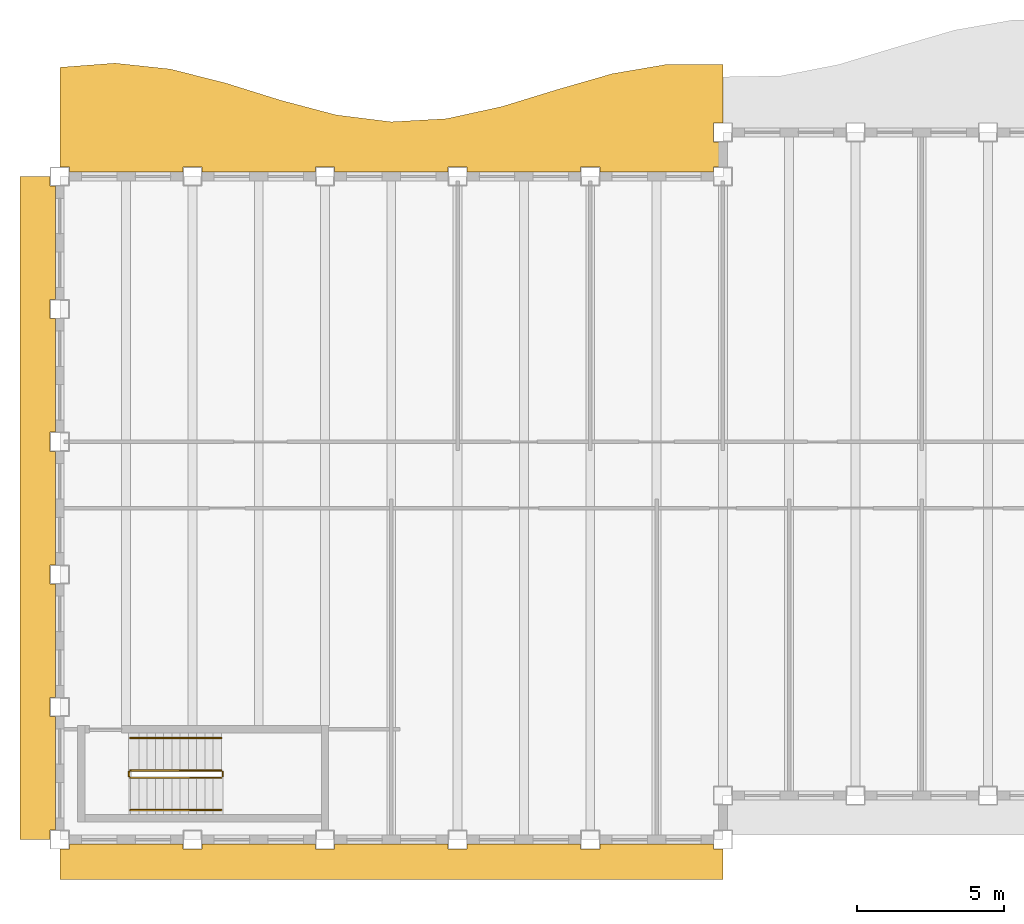
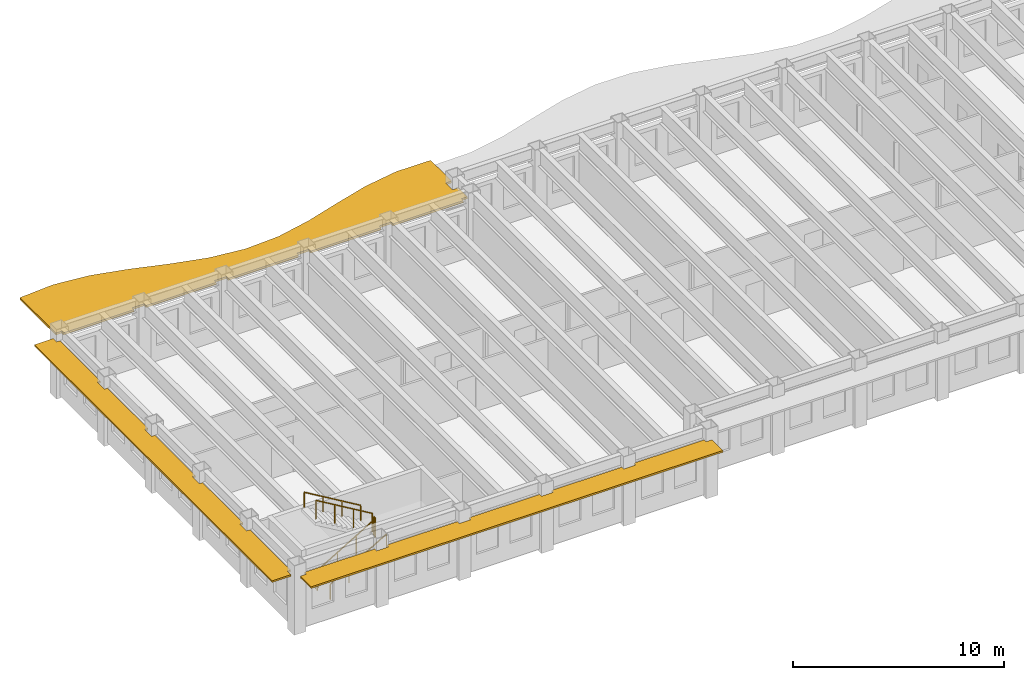
# One storey, part 8 of 12: 6 railings, 3 shading devices.
"""IFC4 building model written with IfcOpenShell, lengths in metres."""

from ifc_helpers import new_model, si_unit, direction, frame, origin, origin_2d, place, context, subcontext, project, spatial, polyline, rectangle, outline, extrude, material, layer, layer_set, type_object, element, save


model = new_model("IFC4")

# Units and contexts
model_context = context("Model", 3, precision=1e-05, world=origin(), true_north=direction((0.0, 1.0)))
body_context = subcontext(model_context, "Body", "Model", "MODEL_VIEW")
ifc_project = project(units=[si_unit("LENGTHUNIT", "METRE"), si_unit("AREAUNIT", "SQUARE_METRE"), si_unit("VOLUMEUNIT", "CUBIC_METRE"), si_unit("PLANEANGLEUNIT", "RADIAN"), si_unit("MASSUNIT", "GRAM", prefix="KILO")], contexts=[model_context])

# Site, building, storey
site_placement = place(None, origin())
site = spatial("IfcSite", under=ifc_project, at=site_placement, CompositionType="ELEMENT")
building_placement = place(site_placement, origin())
building = spatial("IfcBuilding", under=site, at=building_placement, Name="Sennacour Bend Tower", CompositionType="ELEMENT")
storey_placement = place(building_placement, frame((0.0, 0.0, 265.0)))
storey = spatial("IfcBuildingStorey", under=building, at=storey_placement, Name="L61", CompositionType="ELEMENT", Elevation=265.0)

# Railings
ifc_material_1 = material(Name="Stainless steel", Category="steel")
railing_type_1 = type_object("IfcRailingType", Name="RL-GUARD-1100", PredefinedType="GUARDRAIL", material=ifc_material_1)
railing_1_placement = place(storey_placement, frame((2.39990234375, 2.10009765625, 0.166748046875)))
element("IfcRailing", 1, at=railing_1_placement, inside=storey, type_object=railing_type_1, Name="L61 SK1 stair guard 1", PredefinedType="GUARDRAIL", context=body_context, shape_type="SweptSolid", body=[
    extrude(rectangle(XDim=0.048095703125, YDim=0.048095703125, at=origin_2d()), frame((0.0, 0.0, 1.076171875), z_axis=(0.859308565015, 0.0, 0.511457515432), x_axis=(0.0, 1.0, 0.0)), (0.0, 0.0, 1.0), 3.58447265625),
    extrude(rectangle(XDim=0.0419921875, YDim=0.0419921875, at=origin_2d()), origin(), (0.0, 0.0, 1.0), 1.052001953125),
    extrude(rectangle(XDim=0.0419921875, YDim=0.0419921875, at=origin_2d()), frame((1.026611328125, 0.0, 0.611083984375)), (0.0, 0.0, 1.0), 1.052001953125),
    extrude(rectangle(XDim=0.0419921875, YDim=0.0419921875, at=origin_2d()), frame((2.053466796875, 0.0, 1.22216796875)), (0.0, 0.0, 1.0), 1.052001953125),
    extrude(rectangle(XDim=0.0419921875, YDim=0.0419921875, at=origin_2d()), frame((3.080078125, 0.0, 1.833251953125)), (0.0, 0.0, 1.0), 1.052001953125),
])
railing_2_placement = place(storey_placement, frame((5.530029296875, 2.14990234375, 2.0)))
element("IfcRailing", 2, at=railing_2_placement, inside=storey, type_object=railing_type_1, Name="L61 SK1 stair guard 2", PredefinedType="GUARDRAIL", context=body_context, shape_type="SweptSolid", body=[
    extrude(rectangle(XDim=0.048095703125, YDim=0.048095703125, at=origin_2d()), frame((0.0, 0.0, 1.076171875), z_axis=(0.0, 1.0, 0.0), x_axis=(-1.0, 0.0, 0.0)), (0.0, 0.0, 1.0), 0.150146484375),
    extrude(rectangle(XDim=0.0419921875, YDim=0.0419921875, at=origin_2d()), origin(), (0.0, 0.0, 1.0), 1.052001953125),
    extrude(rectangle(XDim=0.0419921875, YDim=0.0419921875, at=origin_2d()), frame((0.0, 0.150146484375, 0.0)), (0.0, 0.0, 1.0), 1.052001953125),
])
railing_3_placement = place(storey_placement, frame((5.47998046875, 2.35009765625, 2.166748046875)))
element("IfcRailing", 3, at=railing_3_placement, inside=storey, type_object=railing_type_1, Name="L61 SK1 stair guard 3", PredefinedType="GUARDRAIL", context=body_context, shape_type="SweptSolid", body=[
    extrude(rectangle(XDim=0.048095703125, YDim=0.048095703125, at=origin_2d()), frame((0.0, 0.0, 1.076171875), z_axis=(-0.859308565015, 0.0, 0.511457515432), x_axis=(0.0, -1.0, 0.0)), (0.0, 0.0, 1.0), 3.58447265625),
    extrude(rectangle(XDim=0.0419921875, YDim=0.0419921875, at=origin_2d()), origin(), (0.0, 0.0, 1.0), 1.052001953125),
    extrude(rectangle(XDim=0.0419921875, YDim=0.0419921875, at=origin_2d()), frame((-1.026611328125, 0.0, 0.611083984375)), (0.0, 0.0, 1.0), 1.052001953125),
    extrude(rectangle(XDim=0.0419921875, YDim=0.0419921875, at=origin_2d()), frame((-2.053466796875, 0.0, 1.22216796875)), (0.0, 0.0, 1.0), 1.052001953125),
    extrude(rectangle(XDim=0.0419921875, YDim=0.0419921875, at=origin_2d()), frame((-3.080078125, 0.0, 1.833251953125)), (0.0, 0.0, 1.0), 1.052001953125),
])
railing_4_placement = place(storey_placement, frame((2.35009765625, 2.14990234375, 0.0)))
element("IfcRailing", 4, at=railing_4_placement, inside=storey, type_object=railing_type_1, Name="L61 SK1 stair guard 4", PredefinedType="GUARDRAIL", context=body_context, shape_type="SweptSolid", body=[
    extrude(rectangle(XDim=0.048095703125, YDim=0.048095703125, at=origin_2d()), frame((0.0, 0.0, 1.076171875), z_axis=(0.0, 1.0, 0.0), x_axis=(-1.0, 0.0, 0.0)), (0.0, 0.0, 1.0), 0.150146484375),
    extrude(rectangle(XDim=0.0419921875, YDim=0.0419921875, at=origin_2d()), origin(), (0.0, 0.0, 1.0), 1.052001953125),
    extrude(rectangle(XDim=0.0419921875, YDim=0.0419921875, at=origin_2d()), frame((0.0, 0.150146484375, 0.0)), (0.0, 0.0, 1.0), 1.052001953125),
])
railing_type_2 = type_object("IfcRailingType", Name="RL-HANDRAIL-900", PredefinedType="HANDRAIL", material=ifc_material_1)
railing_5_placement = place(storey_placement, frame((2.39990234375, 1.0, 0.166748046875)))
element("IfcRailing", 5, at=railing_5_placement, inside=storey, type_object=railing_type_2, Name="L61 SK1 stair handrail 1", PredefinedType="HANDRAIL", context=body_context, shape_type="SweptSolid", body=[
    extrude(rectangle(XDim=0.048095703125, YDim=0.048095703125, at=origin_2d()), frame((0.0, 0.0, 0.8759765625), z_axis=(0.859308565015, 0.0, 0.511457515432), x_axis=(0.0, 1.0, 0.0)), (0.0, 0.0, 1.0), 3.58447265625),
    extrude(rectangle(XDim=0.0419921875, YDim=0.0419921875, at=origin_2d()), origin(), (0.0, 0.0, 1.0), 0.851806640625),
    extrude(rectangle(XDim=0.0419921875, YDim=0.0419921875, at=origin_2d()), frame((1.026611328125, 0.0, 0.611083984375)), (0.0, 0.0, 1.0), 0.851806640625),
    extrude(rectangle(XDim=0.0419921875, YDim=0.0419921875, at=origin_2d()), frame((2.053466796875, 0.0, 1.22216796875)), (0.0, 0.0, 1.0), 0.851806640625),
    extrude(rectangle(XDim=0.0419921875, YDim=0.0419921875, at=origin_2d()), frame((3.080078125, 0.0, 1.833251953125)), (0.0, 0.0, 1.0), 0.851806640625),
])
railing_6_placement = place(storey_placement, frame((5.47998046875, 3.449951171875, 2.166748046875)))
element("IfcRailing", 6, at=railing_6_placement, inside=storey, type_object=railing_type_2, Name="L61 SK1 stair handrail 2", PredefinedType="HANDRAIL", context=body_context, shape_type="SweptSolid", body=[
    extrude(rectangle(XDim=0.048095703125, YDim=0.048095703125, at=origin_2d()), frame((0.0, 0.0, 0.8759765625), z_axis=(-0.859308565015, 0.0, 0.511457515432), x_axis=(0.0, -1.0, 0.0)), (0.0, 0.0, 1.0), 3.58447265625),
    extrude(rectangle(XDim=0.0419921875, YDim=0.0419921875, at=origin_2d()), origin(), (0.0, 0.0, 1.0), 0.851806640625),
    extrude(rectangle(XDim=0.0419921875, YDim=0.0419921875, at=origin_2d()), frame((-1.026611328125, 0.0, 0.611083984375)), (0.0, 0.0, 1.0), 0.851806640625),
    extrude(rectangle(XDim=0.0419921875, YDim=0.0419921875, at=origin_2d()), frame((-2.053466796875, 0.0, 1.22216796875)), (0.0, 0.0, 1.0), 0.851806640625),
    extrude(rectangle(XDim=0.0419921875, YDim=0.0419921875, at=origin_2d()), frame((-3.080078125, 0.0, 1.833251953125)), (0.0, 0.0, 1.0), 0.851806640625),
])

# Shading devices
ifc_material_2 = material(Name="Bronze anodised aluminium", Category="aluminium")
ifc_layer_1 = layer(ifc_material_2, 0.10009765625, Name="Bronze anodised aluminium", Category="aluminium")
ifc_layer_set_1 = layer_set([ifc_layer_1], Name="Bronze anodised aluminium")
shading_device_type_1 = type_object("IfcShadingDeviceType", Name="SUNSHADE BAND STRAIGHT", PredefinedType="USERDEFINED", material=ifc_layer_set_1)
shading_device_1_placement = place(storey_placement, frame((0.0, 0.0, 3.06201171875)))
element("IfcShadingDevice", 7, at=shading_device_1_placement, inside=storey, type_object=shading_device_type_1, Name="Sunshade band L61 K outer face", ObjectType="SUNSHADE", PredefinedType="USERDEFINED", context=body_context, shape_type="SweptSolid", body=[
    extrude(outline(polyline([(-0.14990234375, 18.324951171875), (-0.324951171875, 18.324951171875), (-0.324951171875, 17.675048828125), (-0.14990234375, 17.675048828125), (-0.14990234375, 13.824951171875), (-0.324951171875, 13.824951171875), (-0.324951171875, 13.175048828125), (-0.14990234375, 13.175048828125), (-0.14990234375, 9.324951171875), (-0.324951171875, 9.324951171875), (-0.324951171875, 8.675048828125), (-0.14990234375, 8.675048828125), (-0.14990234375, 4.824951171875), (-0.324951171875, 4.824951171875), (-0.324951171875, 4.175048828125), (-0.14990234375, 4.175048828125), (-0.14990234375, 0.324951171875), (-0.324951171875, 0.324951171875), (-0.324951171875, 0.0), (-1.35009765625, 0.0), (-1.35009765625, 22.5), (-0.324951171875, 22.5), (-0.324951171875, 22.175048828125), (-0.14990234375, 22.175048828125), (-0.14990234375, 18.324951171875)])), origin(), (0.0, 0.0, 1.0), 0.10009765625),
])
shading_device_2_placement = place(storey_placement, frame((0.0, 0.0, 3.06201171875)))
element("IfcShadingDevice", 8, at=shading_device_2_placement, inside=storey, type_object=shading_device_type_1, Name="Sunshade band L61 K outer face", ObjectType="SUNSHADE", PredefinedType="USERDEFINED", context=body_context, shape_type="SweptSolid", body=[
    extrude(outline(polyline([(4.175048828125, -0.14990234375), (4.175048828125, -0.324951171875), (4.824951171875, -0.324951171875), (4.824951171875, -0.14990234375), (8.675048828125, -0.14990234375), (8.675048828125, -0.324951171875), (9.324951171875, -0.324951171875), (9.324951171875, -0.14990234375), (13.175048828125, -0.14990234375), (13.175048828125, -0.324951171875), (13.824951171875, -0.324951171875), (13.824951171875, -0.14990234375), (17.675048828125, -0.14990234375), (17.675048828125, -0.324951171875), (18.324951171875, -0.324951171875), (18.324951171875, -0.14990234375), (22.175048828125, -0.14990234375), (22.175048828125, -0.324951171875), (22.5, -0.324951171875), (22.5, -1.35009765625), (0.0, -1.35009765625), (0.0, -0.324951171875), (0.324951171875, -0.324951171875), (0.324951171875, -0.14990234375), (4.175048828125, -0.14990234375)])), origin(), (0.0, 0.0, 1.0), 0.10009765625),
])
ifc_layer_2 = layer(ifc_material_2, 0.1201171875, Name="Bronze anodised aluminium", Category="aluminium")
ifc_layer_set_2 = layer_set([ifc_layer_2], Name="Bronze anodised aluminium")
shading_device_type_2 = type_object("IfcShadingDeviceType", Name="SUNSHADE BAND WAVE", PredefinedType="USERDEFINED", material=ifc_layer_set_2)
shading_device_3_placement = place(storey_placement, frame((0.0, 0.0, 3.0419921875)))
element("IfcShadingDevice", 9, at=shading_device_3_placement, inside=storey, type_object=shading_device_type_2, Name="Sunshade band L61 concave faces", ObjectType="SUNSHADE", PredefinedType="USERDEFINED", context=body_context, shape_type="SweptSolid", body=[
    extrude(outline(polyline([(22.175048828125, 22.64990234375), (18.324951171875, 22.64990234375), (18.324951171875, 22.824951171875), (17.675048828125, 22.824951171875), (17.675048828125, 22.64990234375), (13.824951171875, 22.64990234375), (13.824951171875, 22.824951171875), (13.175048828125, 22.824951171875), (13.175048828125, 22.64990234375), (9.324951171875, 22.64990234375), (9.324951171875, 22.824951171875), (8.675048828125, 22.824951171875), (8.675048828125, 22.64990234375), (4.824951171875, 22.64990234375), (4.824951171875, 22.824951171875), (4.175048828125, 22.824951171875), (4.175048828125, 22.64990234375), (0.324951171875, 22.64990234375), (0.324951171875, 22.824951171875), (0.0, 22.824951171875), (0.0, 26.206298828125), (1.875, 26.3486328125), (3.75, 26.147705078125), (5.625, 25.672607421875), (7.5, 25.086669921875), (9.375, 24.591064453125), (11.25, 24.3564453125), (13.125, 24.46337890625), (15.0, 24.875), (16.875, 25.44970703125), (18.75, 25.990478515625), (20.625, 26.310791015625), (22.5, 26.301025390625), (22.5, 24.324951171875), (22.175048828125, 24.324951171875), (22.175048828125, 23.675048828125), (22.5, 23.675048828125), (22.5, 22.824951171875), (22.175048828125, 22.824951171875), (22.175048828125, 22.64990234375)])), origin(), (0.0, 0.0, 1.0), 0.1201171875),
])

save(model, "model.ifc")
